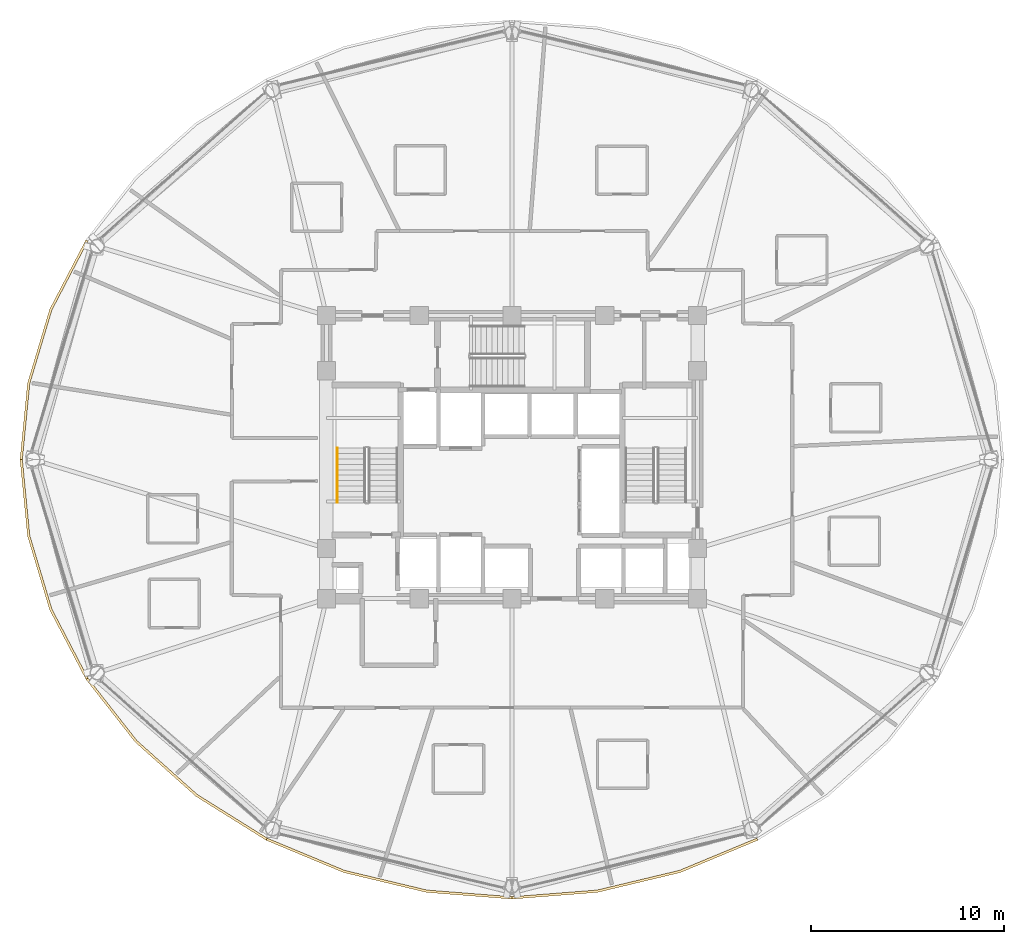
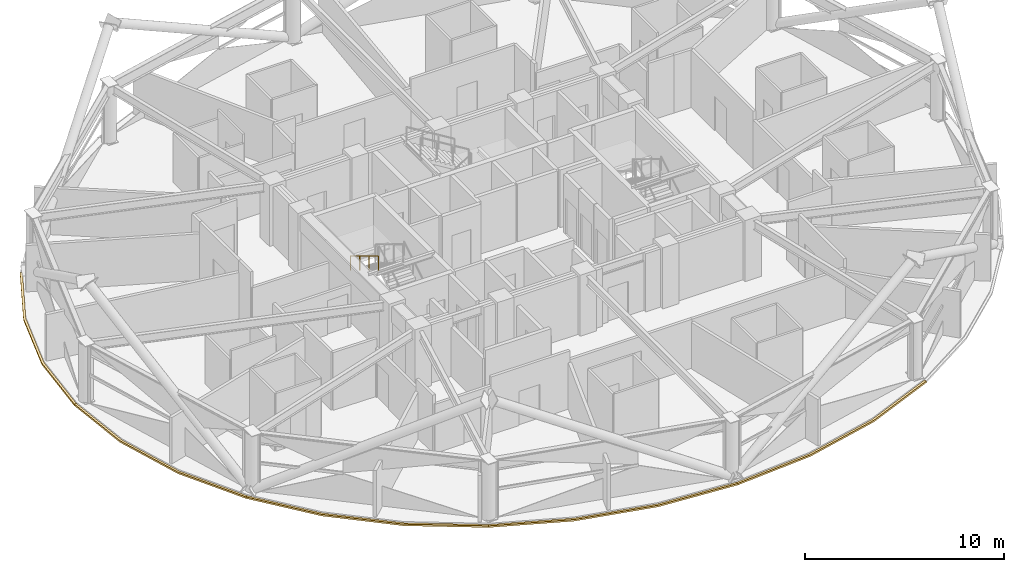
# One storey, part 26 of 29: 5 coverings, 1 railing.
"""IFC4 building model written with IfcOpenShell, lengths in metres."""

import ifcopenshell
import ifcopenshell.guid

model = None  # the IFC model being written
_history = None  # IfcOwnerHistory: only IFC2X3 demands one
_inside = {}  # id of a spatial element -> (the spatial element, [elements in it])
_under = {}  # id of a project, library or spatial element -> (it, [spatial elements below it])
_declared = {}  # id of a project -> (the project, [libraries it declares])
_typed = {}  # id of a type object -> (the type object, [elements of that type])
_made_of = {}  # id of a material, layer set ... -> (it, [elements and type objects made of it])


def new_model(schema):
    """Start an empty IFC model of exactly this schema.

    Asked for "IFC4X3", IfcOpenShell would pick the latest addendum, in which some entities
    have other attributes; the version numbers below select the first issue.
    IFC2X3 requires an IfcOwnerHistory on every rooted entity: one is made here for all.
    """
    global model, _history
    if schema == "IFC4X3":
        model = ifcopenshell.file(schema_version=(4, 3, 0, 0))
    else:
        model = ifcopenshell.file(schema=schema)
    _inside.clear()
    _under.clear()
    _declared.clear()
    _typed.clear()
    _made_of.clear()
    _history = None
    if model.schema == "IFC2X3":
        org = make("IfcOrganization", Name="unknown")
        user = make(
            "IfcPersonAndOrganization",
            ThePerson=make("IfcPerson", FamilyName="unknown"),
            TheOrganization=org,
        )
        app = make(
            "IfcApplication",
            ApplicationDeveloper=org,
            Version="unknown",
            ApplicationFullName="unknown",
            ApplicationIdentifier="unknown",
        )
        _history = make(
            "IfcOwnerHistory",
            OwningUser=user,
            OwningApplication=app,
            ChangeAction="ADDED",
            CreationDate=0,
        )
    return model


def make(cls, **values):
    """One entity of the class cls with the attributes given. An attribute that is None is left unset."""
    return model.create_entity(
        cls, **{name: value for name, value in values.items() if value is not None}
    )


def rooted(cls, **values):
    """An entity with a GlobalId (a new one), such as an element, a storey or a relation."""
    return make(cls, GlobalId=ifcopenshell.guid.new(), OwnerHistory=_history, **values)


def si_unit(unit_type, name, prefix=None):
    """IfcSIUnit, for example si_unit("LENGTHUNIT", "METRE", prefix="MILLI")."""
    return make("IfcSIUnit", UnitType=unit_type, Prefix=prefix, Name=name)


def assignment(units):
    """IfcUnitAssignment: the units of a project."""
    return None if units is None else make("IfcUnitAssignment", Units=units)


def point(xyz):
    """IfcCartesianPoint."""
    return None if xyz is None else make("IfcCartesianPoint", Coordinates=xyz)


def direction(xyz):
    """IfcDirection."""
    return None if xyz is None else make("IfcDirection", DirectionRatios=xyz)


def frame(location, z_axis=None, x_axis=None):
    """IfcAxis2Placement3D, a coordinate frame: its origin and axes. An axis left out is left unset."""
    return make(
        "IfcAxis2Placement3D",
        Location=point(location),
        Axis=direction(z_axis),
        RefDirection=direction(x_axis),
    )


def frame_2d(location, x_axis=None):
    """IfcAxis2Placement2D, a coordinate frame in the plane: its origin and x axis."""
    return make(
        "IfcAxis2Placement2D", Location=point(location), RefDirection=direction(x_axis)
    )


def origin():
    """The frame at (0, 0, 0) with its axes left unset."""
    return frame((0.0, 0.0, 0.0))


def origin_2d():
    """The frame at (0, 0) in the plane with its x axis left unset."""
    return frame_2d((0.0, 0.0))


def place(relative_to, where):
    """IfcLocalPlacement: puts the frame where relative to a parent placement (None: the world)."""
    return make(
        "IfcLocalPlacement", PlacementRelTo=relative_to, RelativePlacement=where
    )


def context(
    kind, dimensions, precision=None, world=None, true_north=None, identifier=None
):
    """IfcGeometricRepresentationContext, for example the 3D "Model" context."""
    return make(
        "IfcGeometricRepresentationContext",
        ContextIdentifier=identifier,
        ContextType=kind,
        CoordinateSpaceDimension=dimensions,
        Precision=precision,
        WorldCoordinateSystem=world,
        TrueNorth=true_north,
    )


def subcontext(parent, identifier, kind, view, scale=None):
    """IfcGeometricRepresentationSubContext, for example "Body" below "Model"."""
    return make(
        "IfcGeometricRepresentationSubContext",
        ContextIdentifier=identifier,
        ContextType=kind,
        ParentContext=parent,
        TargetScale=scale,
        TargetView=view,
    )


def project(units=None, contexts=None):
    """IfcProject with its units and contexts."""
    return rooted(
        "IfcProject",
        Name="project",
        RepresentationContexts=contexts,
        UnitsInContext=assignment(units),
    )


def spatial(cls, under=None, at=None, **own):
    """A site, building, storey or space (cls), placed at a placement, below another one or the project."""
    s = rooted(cls, ObjectPlacement=at, **own)
    if under is not None:
        _under.setdefault(under.id(), (under, []))[1].append(s)
    return s


def polyline(points):
    """IfcPolyline through the points."""
    return make("IfcPolyline", Points=[point(p) for p in points])


def profile(cls, at=None, kind="AREA", **sizes):
    """A parametric profile (cls). Its sizes go by their IFC names, for example OverallWidth=200.0."""
    return make(cls, ProfileType=kind, Position=at, **sizes)


def rectangle(**sizes):
    """IfcRectangleProfileDef."""
    return profile("IfcRectangleProfileDef", **sizes)


def outline(outer, holes=None, kind="AREA"):
    """IfcArbitraryClosedProfileDef: a profile drawn as a closed curve; with holes, ...WithVoids."""
    if holes is None:
        return make("IfcArbitraryClosedProfileDef", ProfileType=kind, OuterCurve=outer)
    return make(
        "IfcArbitraryProfileDefWithVoids",
        ProfileType=kind,
        OuterCurve=outer,
        InnerCurves=holes,
    )


def extrude(swept, where, along, depth):
    """IfcExtrudedAreaSolid: the profile swept, set in the frame where, extruded along a direction by depth."""
    return make(
        "IfcExtrudedAreaSolid",
        SweptArea=swept,
        Position=where,
        ExtrudedDirection=direction(along),
        Depth=depth,
    )


def shape(context_of_items, identifier, shape_type, items):
    """IfcShapeRepresentation: the items that make up one representation, for example the "Body"."""
    return make(
        "IfcShapeRepresentation",
        ContextOfItems=context_of_items,
        RepresentationIdentifier=identifier,
        RepresentationType=shape_type,
        Items=items,
    )


def material(Name=None, Category=None):
    """IfcMaterial."""
    return make("IfcMaterial", Name=Name, Category=Category)


def layer(
    of_material, thickness, ventilated=None, Name=None, Category=None, Priority=None
):
    """IfcMaterialLayer: one layer of a wall or slab, of a material (None: an air gap)."""
    return make(
        "IfcMaterialLayer",
        Material=of_material,
        LayerThickness=thickness,
        IsVentilated=ventilated,
        Name=Name,
        Category=Category,
        Priority=Priority,
    )


def layer_set(layers, Name=None):
    """IfcMaterialLayerSet."""
    return make("IfcMaterialLayerSet", MaterialLayers=layers, LayerSetName=Name)


def made_of(thing, what):
    """Note that an element or type object is made of a material, layer set ...; save() writes the relation."""
    if what is not None:
        _made_of.setdefault(what.id(), (what, []))[1].append(thing)
    return thing


def type_object(cls, material=None, **own):
    """A type object (cls), such as IfcWallType, which elements share."""
    return made_of(rooted(cls, **own), material)


def element(
    cls,
    number,
    at=None,
    inside=None,
    cuts=None,
    type_object=None,
    material=None,
    context=None,
    identifier="Body",
    shape_type=None,
    held_by="IfcProductDefinitionShape",
    body=None,
    shapes=None,
    **own,
):
    """One element of the class cls, such as IfcWall. Its Tag is "e" and its number.

    at: its placement. inside: the storey or other place that contains it. cuts: it is an
    opening in that element (IfcRelVoidsElement). A single representation is given by context,
    identifier, shape_type and body (its items); several are given by shapes. held_by: the class
    of the entity that holds the representations. save() writes the other relations.
    """
    e = rooted(cls, Tag="e%d" % number, ObjectPlacement=at, **own)
    if body is not None:
        shapes = [shape(context, identifier, shape_type, body)]
    if shapes is not None:
        e.Representation = make(held_by, Representations=shapes)
    if inside is not None:
        _inside.setdefault(inside.id(), (inside, []))[1].append(e)
    if cuts is not None:
        rooted(
            "IfcRelVoidsElement", RelatingBuildingElement=cuts, RelatedOpeningElement=e
        )
    if type_object is not None:
        _typed.setdefault(type_object.id(), (type_object, []))[1].append(e)
    return made_of(e, material)


def aggregate(whole, parts):
    """IfcRelAggregates: a whole, such as a stair, and the parts it consists of."""
    return rooted("IfcRelAggregates", RelatingObject=whole, RelatedObjects=parts)


def save(model, path):
    """Write the relations noted so far, then the file.

    IfcRelAggregates (storeys below a building ...), IfcRelContainedInSpatialStructure (elements
    in a storey), IfcRelDefinesByType, IfcRelAssociatesMaterial and IfcRelDeclares: one each for
    every whole, place, type object, material and project.
    """
    for whole, parts in _under.values():
        aggregate(whole, parts)
    for where, things in _inside.values():
        rooted(
            "IfcRelContainedInSpatialStructure",
            RelatedElements=things,
            RelatingStructure=where,
        )
    for kind, things in _typed.values():
        rooted("IfcRelDefinesByType", RelatedObjects=things, RelatingType=kind)
    for what, things in _made_of.values():
        rooted("IfcRelAssociatesMaterial", RelatedObjects=things, RelatingMaterial=what)
    for by, libraries in _declared.values():
        rooted("IfcRelDeclares", RelatingContext=by, RelatedDefinitions=libraries)
    model.write(path)


model = new_model("IFC4")

# Units and contexts
model_context = context("Model", 3, precision=1e-05, world=origin(), true_north=direction((0.0, 1.0)))
body_context = subcontext(model_context, "Body", "Model", "MODEL_VIEW")
ifc_project = project(units=[si_unit("LENGTHUNIT", "METRE"), si_unit("AREAUNIT", "SQUARE_METRE"), si_unit("VOLUMEUNIT", "CUBIC_METRE"), si_unit("PLANEANGLEUNIT", "RADIAN"), si_unit("MASSUNIT", "GRAM", prefix="KILO")], contexts=[model_context])

# Site, building, storey
site_placement = place(None, origin())
site = spatial("IfcSite", under=ifc_project, at=site_placement, CompositionType="ELEMENT")
building_placement = place(site_placement, origin())
building = spatial("IfcBuilding", under=site, at=building_placement, Name="Vantalir Tower", CompositionType="ELEMENT")
storey_placement = place(building_placement, frame((0.0, 0.0, 157.199951171875)))
storey = spatial("IfcBuildingStorey", under=building, at=storey_placement, Name="L39", CompositionType="ELEMENT", Elevation=157.199951171875)

# Coverings
ifc_material_1 = material(Name="Anodised champagne aluminium sill fascia", Category="aluminium")
ifc_layer = layer(ifc_material_1, 0.125)
ifc_layer_set = layer_set([ifc_layer], Name="Anodised champagne aluminium sill fascia")
covering_type = type_object("IfcCoveringType", Name="COV-SLAB-FASCIA-125", PredefinedType="CLADDING", material=ifc_layer_set)
covering_1_placement = place(storey_placement, frame((0.0, 0.0, -0.179931640625)))
element("IfcCovering", 1, at=covering_1_placement, inside=storey, type_object=covering_type, Name="L39 Perimeter Slab-Edge Sill Fascia 06", PredefinedType="CLADDING", context=body_context, shape_type="SweptSolid", body=[
    extrude(outline(polyline([(9.452880859375, 36.3720703125), (7.576904296875, 32.779052734375), (6.428955078125, 28.948974609375), (6.0419921875, 25.0), (6.1669921875, 25.0), (6.552001953125, 28.927978515625), (7.695068359375, 32.736083984375), (9.56103515625, 36.30908203125), (9.452880859375, 36.3720703125)])), origin(), (0.0, 0.0, 1.0), 0.10498046875),
])
covering_2_placement = place(storey_placement, frame((0.0, 0.0, -0.179931640625)))
element("IfcCovering", 2, at=covering_2_placement, inside=storey, type_object=covering_type, Name="L39 Perimeter Slab-Edge Sill Fascia 07", PredefinedType="CLADDING", context=body_context, shape_type="SweptSolid", body=[
    extrude(outline(polyline([(6.0419921875, 25.0), (6.428955078125, 21.051025390625), (7.576904296875, 17.220947265625), (9.452880859375, 13.6279296875), (9.56103515625, 13.68994140625), (7.695068359375, 17.263916015625), (6.552001953125, 21.072021484375), (6.1669921875, 25.0), (6.0419921875, 25.0)])), origin(), (0.0, 0.0, 1.0), 0.10498046875),
])
covering_3_placement = place(storey_placement, frame((0.0, 0.0, -0.179931640625)))
element("IfcCovering", 3, at=covering_3_placement, inside=storey, type_object=covering_type, Name="L39 Perimeter Slab-Edge Sill Fascia 08", PredefinedType="CLADDING", context=body_context, shape_type="SweptSolid", body=[
    extrude(outline(polyline([(9.452880859375, 13.6279296875), (11.998046875, 10.3798828125), (15.135986328125, 7.576904296875), (18.77099609375, 5.302978515625), (18.8330078125, 5.410888671875), (15.216064453125, 7.673095703125), (12.093994140625, 10.4609375), (9.56103515625, 13.68994140625), (9.452880859375, 13.6279296875)])), origin(), (0.0, 0.0, 1.0), 0.10498046875),
])
covering_4_placement = place(storey_placement, frame((0.0, 0.0, -0.179931640625)))
element("IfcCovering", 4, at=covering_4_placement, inside=storey, type_object=covering_type, Name="L39 Perimeter Slab-Edge Sill Fascia 09", PredefinedType="CLADDING", context=body_context, shape_type="SweptSolid", body=[
    extrude(outline(polyline([(18.77099609375, 5.302978515625), (22.79296875, 3.6279296875), (27.0791015625, 2.60205078125), (31.5, 2.256103515625), (31.5, 2.381103515625), (27.10107421875, 2.72509765625), (22.8359375, 3.7451171875), (18.8330078125, 5.410888671875), (18.77099609375, 5.302978515625)])), origin(), (0.0, 0.0, 1.0), 0.10498046875),
])
covering_5_placement = place(storey_placement, frame((0.0, 0.0, -0.179931640625)))
element("IfcCovering", 5, at=covering_5_placement, inside=storey, type_object=covering_type, Name="L39 Perimeter Slab-Edge Sill Fascia 10", PredefinedType="CLADDING", context=body_context, shape_type="SweptSolid", body=[
    extrude(outline(polyline([(31.5, 2.256103515625), (35.9208984375, 2.60205078125), (40.20703125, 3.6279296875), (44.22900390625, 5.302978515625), (44.1669921875, 5.410888671875), (40.1640625, 3.7451171875), (35.89892578125, 2.72509765625), (31.5, 2.381103515625), (31.5, 2.256103515625)])), origin(), (0.0, 0.0, 1.0), 0.10498046875),
])

# Railing
ifc_material_2 = material(Name="Brushed stainless steel tubular handrail", Category="steel")
railing_type = type_object("IfcRailingType", Name="RAL-HANDRAIL-900", PredefinedType="HANDRAIL", material=ifc_material_2)
railing_placement = place(storey_placement, frame((22.449951171875, 25.590087890625, 2.04541015625)))
element("IfcRailing", 6, at=railing_placement, inside=storey, type_object=railing_type, Name="L39 ST1 stair handrail 2", PredefinedType="HANDRAIL", context=body_context, shape_type="SweptSolid", body=[
    extrude(rectangle(XDim=0.048095703125, YDim=0.048095703125, at=origin_2d()), frame((0.0, 0.0, 0.8759765625), z_axis=(0.0, -0.854169791009, 0.51999420009), x_axis=(1.0, 0.0, 0.0)), (0.0, 0.0, 1.0), 3.278076171875),
    extrude(rectangle(XDim=0.0419921875, YDim=0.0419921875, at=origin_2d()), origin(), (0.0, 0.0, 1.0), 0.851806640625),
    extrude(rectangle(XDim=0.0419921875, YDim=0.0419921875, at=origin_2d()), frame((0.0, -0.933349609375, 0.568115234375)), (0.0, 0.0, 1.0), 0.851806640625),
    extrude(rectangle(XDim=0.0419921875, YDim=0.0419921875, at=origin_2d()), frame((0.0, -1.86669921875, 1.136474609375)), (0.0, 0.0, 1.0), 0.851806640625),
    extrude(rectangle(XDim=0.0419921875, YDim=0.0419921875, at=origin_2d()), frame((0.0, -2.800048828125, 1.70458984375)), (0.0, 0.0, 1.0), 0.851806640625),
])

save(model, "model.ifc")
